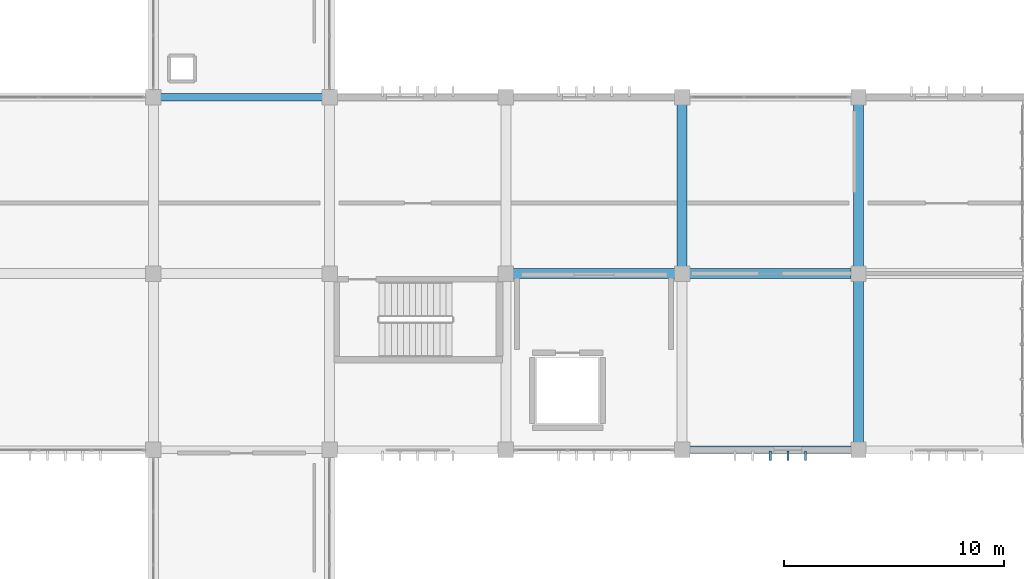
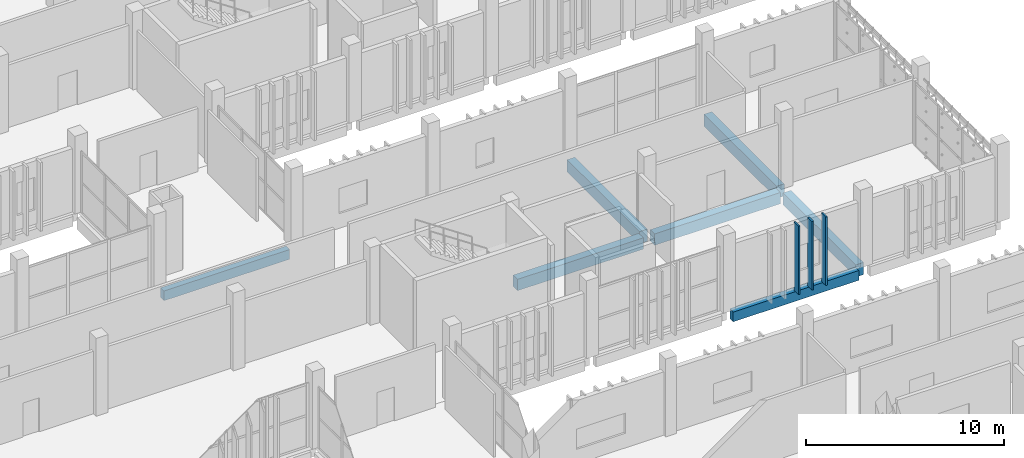
# One storey, part 36 of 106: 7 beams, 3 members.
"""IFC4 building model written with IfcOpenShell, lengths in metres."""

from ifc_helpers import new_model, si_unit, direction, frame, origin, origin_2d, place, context, subcontext, project, spatial, rectangle, extrude, material, material_profile, profile_set, type_object, element, save


model = new_model("IFC4")

# Units and contexts
model_context = context("Model", 3, precision=1e-05, world=origin(), true_north=direction((0.0, 1.0)))
body_context = subcontext(model_context, "Body", "Model", "MODEL_VIEW")
ifc_project = project(units=[si_unit("LENGTHUNIT", "METRE"), si_unit("AREAUNIT", "SQUARE_METRE"), si_unit("VOLUMEUNIT", "CUBIC_METRE"), si_unit("PLANEANGLEUNIT", "RADIAN"), si_unit("MASSUNIT", "GRAM", prefix="KILO")], contexts=[model_context])

# Site, building, storey
site_placement = place(None, origin())
site = spatial("IfcSite", under=ifc_project, at=site_placement, CompositionType="ELEMENT")
building_placement = place(site_placement, origin())
building = spatial("IfcBuilding", under=site, at=building_placement, Name="Jelvoka-Kovrelna Polytechnic", CompositionType="ELEMENT")
storey_placement = place(building_placement, frame((0.0, 0.0, 4.800048828125)))
storey = spatial("IfcBuildingStorey", under=building, at=storey_placement, Name="L02", CompositionType="ELEMENT", Elevation=4.800048828125)

# Beams
ifc_material_1 = material(Name="Concrete C40/50", Category="concrete")
ifc_material_profile_1 = material_profile(ifc_material_1, rectangle(XDim=0.449951171875, YDim=0.699951171875, at=origin_2d()), Name="RC 450x700")
ifc_profile_set_1 = profile_set([ifc_material_profile_1], Name="Concrete C40/50")
beam_type_1 = type_object("IfcBeamType", Name="Beam_RC_450x700", PredefinedType="BEAM", material=ifc_profile_set_1)
for number, where, z_axis, x_axis, name in (
    (1, (88.330078125, 40.0, -0.614990234375), (1.0, 0.0, 0.0), (0.0, 1.0, 0.0), "L02 beam 0688"),
    (2, (96.330078125, 40.0, -0.614990234375), (1.0, 0.0, 0.0), (0.0, 1.0, 0.0), "L02 beam 0689"),
):
    element("IfcBeam", number, at=place(storey_placement, frame(where, z_axis=z_axis, x_axis=x_axis)), inside=storey, type_object=beam_type_1, Name=name, PredefinedType="BEAM", context=body_context, shape_type="SweptSolid", body=[
        extrude(rectangle(XDim=0.449951171875, YDim=0.699951171875, at=origin_2d()), origin(), (0.0, 0.0, 1.0), 7.33984375),
    ])
ifc_material_2 = material(Name="Concrete C40/50", Category="concrete")
ifc_material_profile_2 = material_profile(ifc_material_2, rectangle(XDim=0.449951171875, YDim=0.75, at=origin_2d()), Name="RC 450x750")
ifc_profile_set_2 = profile_set([ifc_material_profile_2], Name="Concrete C40/50")
beam_type_2 = type_object("IfcBeamType", Name="Beam_RC_450x750", PredefinedType="BEAM", material=ifc_profile_set_2)
for number, where, z_axis, x_axis, name in (
    (3, (96.0, 40.330078125, -0.64013671875), (0.0, 1.0, 0.0), (-1.0, 0.0, 0.0), "L02 beam 0709"),
    (4, (104.0, 32.330078125, -0.64013671875), (0.0, 1.0, 0.0), (-1.0, 0.0, 0.0), "L02 beam 0710"),
    (5, (104.0, 40.330078125, -0.64013671875), (0.0, 1.0, 0.0), (-1.0, 0.0, 0.0), "L02 beam 0711"),
):
    element("IfcBeam", number, at=place(storey_placement, frame(where, z_axis=z_axis, x_axis=x_axis)), inside=storey, type_object=beam_type_2, Name=name, PredefinedType="BEAM", context=body_context, shape_type="SweptSolid", body=[
        extrude(rectangle(XDim=0.449951171875, YDim=0.75, at=origin_2d()), origin(), (0.0, 0.0, 1.0), 7.33984375),
    ])

# Members
ifc_material_3 = material(Name="Precast concrete C40/50", Category="concrete")
ifc_material_profile_3 = material_profile(ifc_material_3, rectangle(XDim=0.10009765625, YDim=0.449951171875, at=origin_2d()), Name="PC 100x450")
ifc_profile_set_3 = profile_set([ifc_material_profile_3], Name="Precast concrete C40/50")
member_type = type_object("IfcMemberType", Name="Louvre_Fin_100x450", PredefinedType="USERDEFINED", material=ifc_profile_set_3)
for number, where, z_axis, x_axis, name in (
    (6, (100.0, 31.735107421875, -0.27001953125), (0.0, 0.0, 1.0), (1.0, 0.0, 0.0), "L02 B2W south vertical solar louvre fin 0638"),
    (7, (100.800048828125, 31.735107421875, -0.27001953125), (0.0, 0.0, 1.0), (1.0, 0.0, 0.0), "L02 B2W south vertical solar louvre fin 0639"),
    (8, (101.60009765625, 31.735107421875, -0.27001953125), (0.0, 0.0, 1.0), (1.0, 0.0, 0.0), "L02 B2W south vertical solar louvre fin 0640"),
):
    element("IfcMember", number, at=place(storey_placement, frame(where, z_axis=z_axis, x_axis=x_axis)), inside=storey, type_object=member_type, Name=name, ObjectType="SUNSHADE", PredefinedType="USERDEFINED", context=body_context, shape_type="SweptSolid", body=[
        extrude(rectangle(XDim=0.10009765625, YDim=0.449951171875, at=origin_2d()), origin(), (0.0, 0.0, 1.0), 4.22998046875),
    ])

# Beams
ifc_material_4 = material(Name="Concrete C40/50", Category="concrete")
ifc_material_profile_4 = material_profile(ifc_material_4, rectangle(XDim=0.35009765625, YDim=0.60009765625, at=origin_2d()), Name="RC 350x600")
ifc_profile_set_4 = profile_set([ifc_material_profile_4], Name="Concrete C40/50")
beam_type_3 = type_object("IfcBeamType", Name="Spandrel_RC_350x600", PredefinedType="SPANDREL", material=ifc_profile_set_4)
for number, where, z_axis, x_axis, name in (
    (9, (96.330078125, 32.0, -0.56494140625), (1.0, 0.0, 0.0), (0.0, 1.0, 0.0), "L02 beam 0683"),
    (10, (72.330078125, 48.0, -0.56494140625), (1.0, 0.0, 0.0), (0.0, 1.0, 0.0), "L02 beam 0693"),
):
    element("IfcBeam", number, at=place(storey_placement, frame(where, z_axis=z_axis, x_axis=x_axis)), inside=storey, type_object=beam_type_3, Name=name, PredefinedType="SPANDREL", context=body_context, shape_type="SweptSolid", body=[
        extrude(rectangle(XDim=0.35009765625, YDim=0.60009765625, at=origin_2d()), origin(), (0.0, 0.0, 1.0), 7.33984375),
    ])

save(model, "model.ifc")
